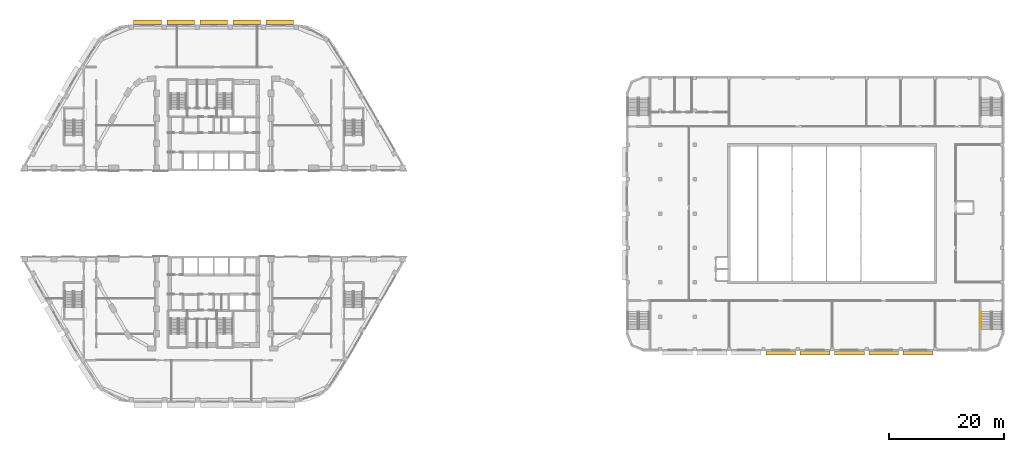
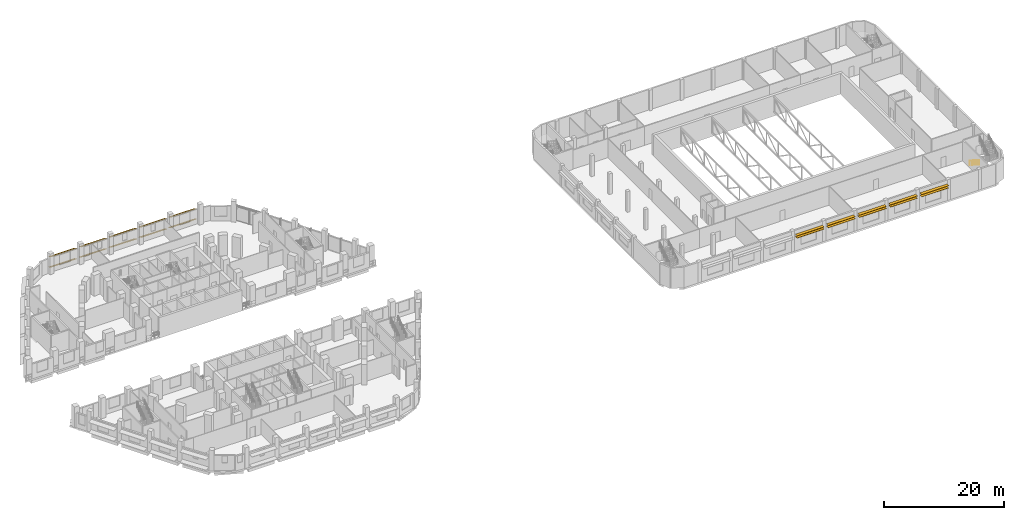
# One storey, part 46 of 47: 20 shading devices, 1 railing.
"""IFC4 building model written with IfcOpenShell, lengths in metres."""

from ifc_helpers import new_model, si_unit, direction, frame, origin, origin_2d, place, context, subcontext, project, spatial, rectangle, circle, extrude, material, material_profile, profile_set, type_object, element, save


model = new_model("IFC4")

# Units and contexts
model_context = context("Model", 3, precision=1e-05, world=origin(), true_north=direction((0.0, 1.0)))
body_context = subcontext(model_context, "Body", "Model", "MODEL_VIEW")
ifc_project = project(units=[si_unit("LENGTHUNIT", "METRE"), si_unit("AREAUNIT", "SQUARE_METRE"), si_unit("VOLUMEUNIT", "CUBIC_METRE"), si_unit("PLANEANGLEUNIT", "RADIAN"), si_unit("MASSUNIT", "GRAM", prefix="KILO")], contexts=[model_context])

# Site, building, storey
site_placement = place(None, origin())
site = spatial("IfcSite", under=ifc_project, at=site_placement, CompositionType="ELEMENT")
building_placement = place(site_placement, origin())
building = spatial("IfcBuilding", under=site, at=building_placement, Name="Nakaniwa Court", CompositionType="ELEMENT")
storey_placement = place(building_placement, frame((0.0, 0.0, 15.60009765625)))
storey = spatial("IfcBuildingStorey", under=building, at=storey_placement, Name="L03", CompositionType="ELEMENT", Elevation=15.60009765625)

# Shading devices
ifc_material_1 = material(Name="Perforated charcoal ceramic louvre blade")
ifc_material_profile_1 = material_profile(ifc_material_1, rectangle(XDim=0.60009765625, YDim=0.050048828125, at=origin_2d()), Name="Hall perforated ceramic louvre blade")
ifc_profile_set_1 = profile_set([ifc_material_profile_1], Name="Perforated charcoal ceramic louvre blade")
shading_device_type_1 = type_object("IfcShadingDeviceType", Name="Hall perforated ceramic louvre blade", PredefinedType="JALOUSIE", material=ifc_profile_set_1)
for number, where, z_axis, x_axis, name in (
    (1, (205.60009765625, 55.639892578125, 3.0), (-1.0, 0.0, 0.0), (0.0, -1.0, 0.0), "Louvre blade L03 033.1"),
    (2, (205.60009765625, 55.639892578125, 3.449951171875), (-1.0, 0.0, 0.0), (0.0, -1.0, 0.0), "Louvre blade L03 033.2"),
    (3, (199.60009765625, 55.639892578125, 3.0), (-1.0, 0.0, 0.0), (0.0, -1.0, 0.0), "Louvre blade L03 034.1"),
    (4, (199.60009765625, 55.639892578125, 3.449951171875), (-1.0, 0.0, 0.0), (0.0, -1.0, 0.0), "Louvre blade L03 034.2"),
    (5, (193.60009765625, 55.639892578125, 3.0), (-1.0, 0.0, 0.0), (0.0, -1.0, 0.0), "Louvre blade L03 035.1"),
    (6, (193.60009765625, 55.639892578125, 3.449951171875), (-1.0, 0.0, 0.0), (0.0, -1.0, 0.0), "Louvre blade L03 035.2"),
    (7, (187.60009765625, 55.639892578125, 3.0), (-1.0, 0.0, 0.0), (0.0, -1.0, 0.0), "Louvre blade L03 036.1"),
    (8, (187.60009765625, 55.639892578125, 3.449951171875), (-1.0, 0.0, 0.0), (0.0, -1.0, 0.0), "Louvre blade L03 036.2"),
    (9, (181.60009765625, 55.639892578125, 3.0), (-1.0, 0.0, 0.0), (0.0, -1.0, 0.0), "Louvre blade L03 037.1"),
    (10, (181.60009765625, 55.639892578125, 3.449951171875), (-1.0, 0.0, 0.0), (0.0, -1.0, 0.0), "Louvre blade L03 037.2"),
):
    element("IfcShadingDevice", number, at=place(storey_placement, frame(where, z_axis=z_axis, x_axis=x_axis)), inside=storey, type_object=shading_device_type_1, Name=name, PredefinedType="JALOUSIE", context=body_context, shape_type="SweptSolid", body=[
        extrude(rectangle(XDim=0.60009765625, YDim=0.050048828125, at=origin_2d()), origin(), (0.0, 0.0, 1.0), 5.2001953125),
    ])

# Railing
ifc_material_2 = material(Name="Brushed stainless steel handrail Grade 304", Category="steel")
railing_type = type_object("IfcRailingType", Name="Hall stair handrail 900", PredefinedType="HANDRAIL", material=ifc_material_2)
railing_placement = place(storey_placement, frame((214.0, 62.860107421875, 0.1748046875)))
element("IfcRailing", 11, at=railing_placement, inside=storey, type_object=railing_type, Name="L03 ST-H3 stair handrail 1", PredefinedType="HANDRAIL", context=body_context, shape_type="SweptSolid", body=[
    extrude(circle(Radius=0.02392578125, at=origin_2d()), frame((0.0, 0.0, 0.8759765625), z_axis=(0.0, -0.847998304005, 0.529998940003), x_axis=(1.0, 0.0, 0.0)), (0.0, 0.0, 1.0), 3.632080078125),
    extrude(circle(Radius=0.02099609375, at=origin_2d()), origin(), (0.0, 0.0, 1.0), 0.851806640625),
    extrude(circle(Radius=0.02099609375, at=origin_2d()), frame((0.0, -0.77001953125, 0.481201171875)), (0.0, 0.0, 1.0), 0.851806640625),
    extrude(circle(Radius=0.02099609375, at=origin_2d()), frame((0.0, -1.5400390625, 0.96240234375)), (0.0, 0.0, 1.0), 0.851806640625),
    extrude(circle(Radius=0.02099609375, at=origin_2d()), frame((0.0, -2.31005859375, 1.44384765625)), (0.0, 0.0, 1.0), 0.851806640625),
    extrude(circle(Radius=0.02099609375, at=origin_2d()), frame((0.0, -3.080078125, 1.925048828125)), (0.0, 0.0, 1.0), 0.851806640625),
])

# Shading devices
ifc_material_profile_2 = material_profile(ifc_material_1, rectangle(XDim=0.89990234375, YDim=0.050048828125, at=origin_2d()), Name="Perforated ceramic louvre blade")
ifc_profile_set_2 = profile_set([ifc_material_profile_2], Name="Perforated charcoal ceramic louvre blade")
shading_device_type_2 = type_object("IfcShadingDeviceType", Name="Perforated ceramic louvre blade", PredefinedType="JALOUSIE", material=ifc_profile_set_2)
for number, where, z_axis, x_axis, name in (
    (12, (93.958251953125, 113.402099609375, 0.5498046875), (-1.0, 0.0, 0.0), (0.0, -0.866025403784, 0.5), "L03 perforated ceramic louvre blade w46 1"),
    (13, (93.958251953125, 113.402099609375, 2.64990234375), (-1.0, 0.0, 0.0), (0.0, -0.866025403784, 0.5), "L03 perforated ceramic louvre blade w46 2"),
    (14, (88.196533203125, 113.402099609375, 0.5498046875), (-1.0, 0.0, 0.0), (0.0, -0.866025403784, 0.5), "L03 perforated ceramic louvre blade w47 1"),
    (15, (88.196533203125, 113.402099609375, 2.64990234375), (-1.0, 0.0, 0.0), (0.0, -0.866025403784, 0.5), "L03 perforated ceramic louvre blade w47 2"),
    (16, (82.434814453125, 113.402099609375, 0.5498046875), (-1.0, 0.0, 0.0), (0.0, -0.866025403784, 0.5), "L03 perforated ceramic louvre blade w48 1"),
    (17, (82.434814453125, 113.402099609375, 2.64990234375), (-1.0, 0.0, 0.0), (0.0, -0.866025403784, 0.5), "L03 perforated ceramic louvre blade w48 2"),
    (18, (76.673095703125, 113.402099609375, 0.5498046875), (-1.0, 0.0, 0.0), (0.0, -0.866025403784, 0.5), "L03 perforated ceramic louvre blade w49 1"),
    (19, (76.673095703125, 113.402099609375, 2.64990234375), (-1.0, 0.0, 0.0), (0.0, -0.866025403784, 0.5), "L03 perforated ceramic louvre blade w49 2"),
):
    element("IfcShadingDevice", number, at=place(storey_placement, frame(where, z_axis=z_axis, x_axis=x_axis)), inside=storey, type_object=shading_device_type_2, Name=name, PredefinedType="JALOUSIE", context=body_context, shape_type="SweptSolid", body=[
        extrude(rectangle(XDim=0.89990234375, YDim=0.050048828125, at=origin_2d()), origin(), (0.0, 0.0, 1.0), 4.86962890625),
    ])
for number, where, z_axis, x_axis, name in (
    (20, (70.911376953125, 113.402099609375, 0.5498046875), (-1.0, 0.0, 0.0), (0.0, -0.866025403784, 0.5), "L03 perforated ceramic louvre blade w50 1"),
    (21, (70.911376953125, 113.402099609375, 2.64990234375), (-1.0, 0.0, 0.0), (0.0, -0.866025403784, 0.5), "L03 perforated ceramic louvre blade w50 2"),
):
    element("IfcShadingDevice", number, at=place(storey_placement, frame(where, z_axis=z_axis, x_axis=x_axis)), inside=storey, type_object=shading_device_type_2, Name=name, PredefinedType="JALOUSIE", context=body_context, shape_type="SweptSolid", body=[
        extrude(rectangle(XDim=0.89990234375, YDim=0.050048828125, at=origin_2d()), origin(), (0.0, 0.0, 1.0), 4.90576171875),
    ])

save(model, "model.ifc")
